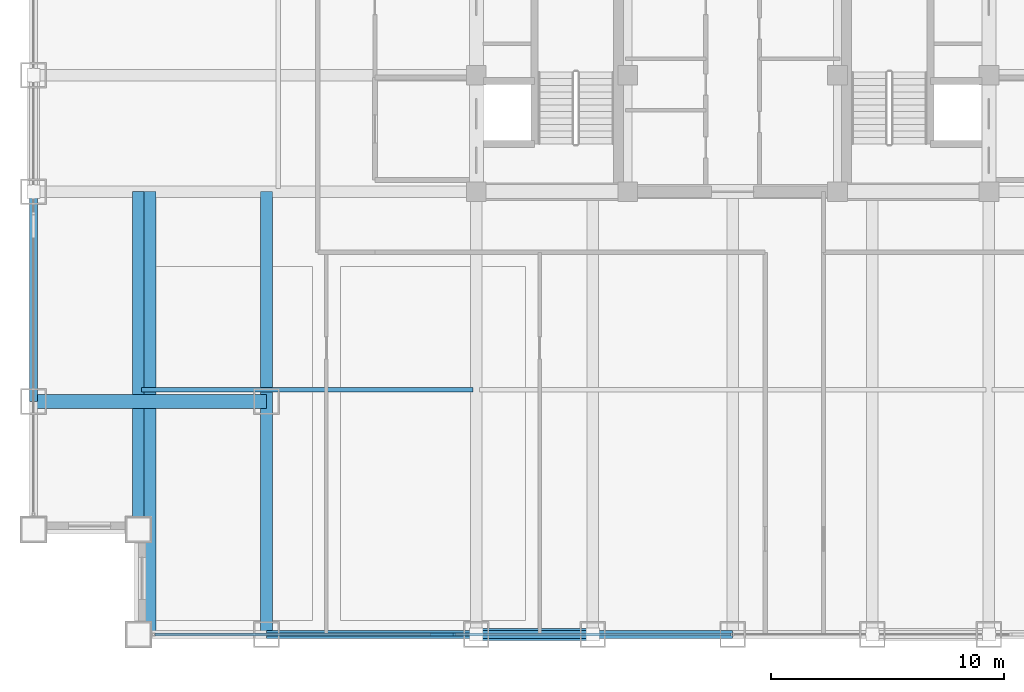
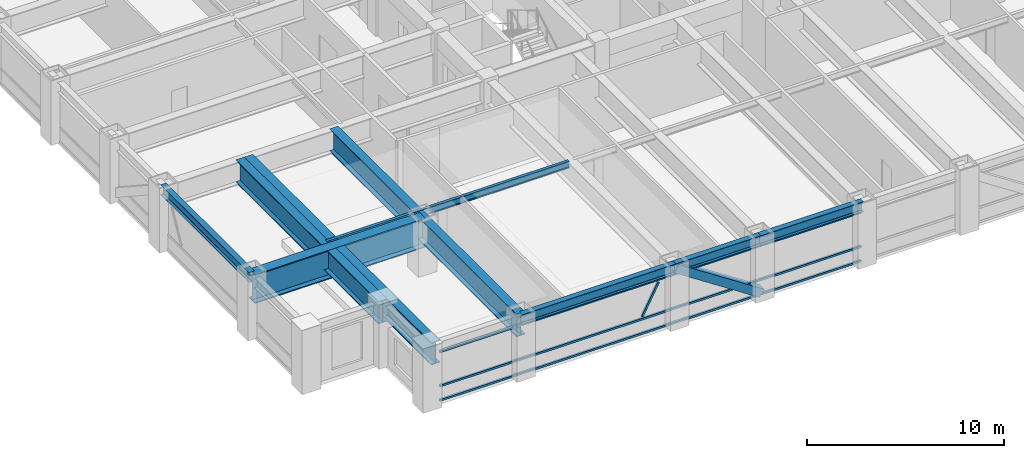
# One storey, part 3 of 26: 9 beams, 5 members, 1 element without a shape of its own.
"""IFC4 building model written with IfcOpenShell, lengths in metres."""

from ifc_helpers import new_model, si_unit, direction, frame, origin, origin_2d, place, context, subcontext, project, spatial, hollow_rectangle, i_section, extrude, source, transform, mapped, material, material_profile, profile_set, type_object, element, aggregate, save


model = new_model("IFC4")

# Units and contexts
model_context = context("Model", 3, precision=1e-05, world=origin(), true_north=direction((0.0, 1.0)))
body_context = subcontext(model_context, "Body", "Model", "MODEL_VIEW")
ifc_project = project(units=[si_unit("LENGTHUNIT", "METRE"), si_unit("AREAUNIT", "SQUARE_METRE"), si_unit("VOLUMEUNIT", "CUBIC_METRE"), si_unit("PLANEANGLEUNIT", "RADIAN"), si_unit("MASSUNIT", "GRAM", prefix="KILO")], contexts=[model_context])

# Site, building, storey
site_placement = place(None, origin())
site = spatial("IfcSite", under=ifc_project, at=site_placement, CompositionType="ELEMENT")
building_placement = place(site_placement, origin())
building = spatial("IfcBuilding", under=site, at=building_placement, Name="Khorayat Bourse Tower", CompositionType="ELEMENT")
storey_placement = place(building_placement, frame((0.0, 0.0, 207.10009765625)))
storey = spatial("IfcBuildingStorey", under=building, at=storey_placement, Name="L48", CompositionType="ELEMENT", Elevation=207.10009765625)

# Beams
ifc_material_1 = material(Name="Steel EN 10025-4 S460M", Category="steel")
ifc_material_profile_1 = material_profile(ifc_material_1, i_section(OverallWidth=0.60009765625, OverallDepth=1.800048828125, WebThickness=0.031982421875, FlangeThickness=0.06005859375, at=origin_2d()), Name="PG 1800x600x32x60")
ifc_profile_set_1 = profile_set([ifc_material_profile_1], Name="Steel EN 10025-4 S460M")
beam_type_1 = type_object("IfcBeamType", Name="BM-TR-1800", PredefinedType="BEAM", material=ifc_profile_set_1)
shared_shape_1 = source(origin(), body_context, "Body", "SweptSolid", [
    extrude(i_section(OverallWidth=0.60009765625, OverallDepth=1.800048828125, WebThickness=0.031982421875, FlangeThickness=0.06005859375, at=origin_2d()), origin(), (0.0, 0.0, 1.0), 10.0),
])
beam_1_placement = place(storey_placement, frame((-30.0, -20.0, 2.8798828125), z_axis=(1.0, 0.0, 0.0), x_axis=(0.0, 1.0, 0.0)))
element("IfcBeam", 1, at=beam_1_placement, inside=storey, type_object=beam_type_1, Name="L48 BM-TR-1800 BM-L48-CNRX-097", PredefinedType="BEAM", context=body_context, shape_type="MappedRepresentation", body=[
    mapped(shared_shape_1, transform((0.0, 0.0, 0.0), scale=1.0)),
])
ifc_material_2 = material(Name="Steel ASTM A992 Grade 50", Category="steel")
ifc_material_profile_2 = material_profile(ifc_material_2, i_section(OverallWidth=0.180908203125, OverallDepth=0.4169921875, WebThickness=0.010986328125, FlangeThickness=0.018310546875, FilletRadius=0.011962890625, at=origin_2d()), Name="W410X85")
ifc_profile_set_2 = profile_set([ifc_material_profile_2], Name="Steel ASTM A992 Grade 50")
beam_type_2 = type_object("IfcBeamType", Name="BM-JOIST-410", PredefinedType="JOIST", material=ifc_profile_set_2)
shared_shape_2 = source(origin(), body_context, "Body", "SweptSolid", [
    extrude(i_section(OverallWidth=0.180908203125, OverallDepth=0.4169921875, WebThickness=0.010986328125, FlangeThickness=0.018310546875, FilletRadius=0.011962890625, at=origin_2d()), origin(), (0.0, 0.0, 1.0), 14.240234375),
])
beam_2_placement = place(storey_placement, frame((-25.3701171875, -19.5, 3.5712890625), z_axis=(1.0, 0.0, 0.0), x_axis=(0.0, 1.0, 0.0)))
element("IfcBeam", 2, at=beam_2_placement, inside=storey, type_object=beam_type_2, Name="L48 BM-JOIST-410 BM-L48-JSTX-104", PredefinedType="JOIST", context=body_context, shape_type="MappedRepresentation", body=[
    mapped(shared_shape_2, transform((0.0, 0.0, 0.0), scale=1.0)),
])
ifc_material_profile_3 = material_profile(ifc_material_2, i_section(OverallWidth=0.324951171875, OverallDepth=0.615966796875, WebThickness=0.013916015625, FlangeThickness=0.021484375, FilletRadius=0.01611328125, at=origin_2d()), Name="W610X174")
ifc_profile_set_3 = profile_set([ifc_material_profile_3], Name="Steel ASTM A992 Grade 50")
beam_type_3 = type_object("IfcBeamType", Name="BM-SPAN-610", PredefinedType="SPANDREL", material=ifc_profile_set_3)
shared_shape_3 = source(origin(), body_context, "Body", "SweptSolid", [
    extrude(i_section(OverallWidth=0.324951171875, OverallDepth=0.615966796875, WebThickness=0.013916015625, FlangeThickness=0.021484375, FilletRadius=0.01611328125, at=origin_2d()), origin(), (0.0, 0.0, 1.0), 9.0),
])
for number, where, z_axis, x_axis, name in (
    (3, (-20.0, -30.0, 3.471923828125), (1.0, 0.0, 0.0), (0.0, 1.0, 0.0), "L48 BM-SPAN-610 BM-L48-SPN-025"),
    (4, (-30.0, -20.0, 3.471923828125), (0.0, 1.0, 0.0), (-1.0, 0.0, 0.0), "L48 BM-SPAN-610 BM-L48-SPN-060"),
):
    element("IfcBeam", number, at=place(storey_placement, frame(where, z_axis=z_axis, x_axis=x_axis)), inside=storey, type_object=beam_type_3, Name=name, PredefinedType="SPANDREL", context=body_context, shape_type="MappedRepresentation", body=[
        mapped(shared_shape_3, transform((0.0, 0.0, 0.0), scale=1.0)),
    ])
shared_shape_4 = source(origin(), body_context, "Body", "SweptSolid", [
    extrude(i_section(OverallWidth=0.324951171875, OverallDepth=0.615966796875, WebThickness=0.013916015625, FlangeThickness=0.021484375, FilletRadius=0.01611328125, at=origin_2d()), origin(), (0.0, 0.0, 1.0), 5.0),
])
beam_3_placement = place(storey_placement, frame((-11.0, -30.0, 3.471923828125), z_axis=(1.0, 0.0, 0.0), x_axis=(0.0, 1.0, 0.0)))
element("IfcBeam", 5, at=beam_3_placement, inside=storey, type_object=beam_type_3, Name="L48 BM-SPAN-610 BM-L48-SPN-026", PredefinedType="SPANDREL", context=body_context, shape_type="MappedRepresentation", body=[
    mapped(shared_shape_4, transform((0.0, 0.0, 0.0), scale=1.0)),
])
shared_shape_5 = source(origin(), body_context, "Body", "SweptSolid", [
    extrude(i_section(OverallWidth=0.324951171875, OverallDepth=0.615966796875, WebThickness=0.013916015625, FlangeThickness=0.021484375, FilletRadius=0.01611328125, at=origin_2d()), origin(), (0.0, 0.0, 1.0), 6.0),
])
beam_4_placement = place(storey_placement, frame((-6.0, -30.0, 3.471923828125), z_axis=(1.0, 0.0, 0.0), x_axis=(0.0, 1.0, 0.0)))
element("IfcBeam", 6, at=beam_4_placement, inside=storey, type_object=beam_type_3, Name="L48 BM-SPAN-610 BM-L48-SPN-027", PredefinedType="SPANDREL", context=body_context, shape_type="MappedRepresentation", body=[
    mapped(shared_shape_5, transform((0.0, 0.0, 0.0), scale=1.0)),
])

# Member
ifc_material_profile_4 = material_profile(ifc_material_1, hollow_rectangle(XDim=0.5, YDim=0.5, WallThickness=0.028076171875, at=origin_2d()), Name="HSS 500x500x28")
ifc_profile_set_4 = profile_set([ifc_material_profile_4], Name="Steel EN 10025-4 S460M")
member_type_1 = type_object("IfcMemberType", Name="MBR-TUBE-500", PredefinedType="BRACE", material=ifc_profile_set_4)
shared_shape_6 = source(origin(), body_context, "Body", "SweptSolid", [
    extrude(hollow_rectangle(XDim=0.5, YDim=0.5, WallThickness=0.028076171875, at=origin_2d()), origin(), (0.0, 0.0, 1.0), 5.979736328125),
])
member_1_placement = place(storey_placement, frame((-11.0, -30.0, 3.52978515625), z_axis=(0.836160261256, 0.0, -0.548485202623), x_axis=(0.0, 1.0, 0.0)))
element("IfcMember", 7, at=member_1_placement, inside=storey, type_object=member_type_1, Name="L48 Perimeter Tube Brace 01", PredefinedType="BRACE", context=body_context, shape_type="MappedRepresentation", body=[
    mapped(shared_shape_6, transform((0.0, 0.0, 0.0), scale=1.0)),
])

# Beams
ifc_material_profile_5 = material_profile(ifc_material_1, i_section(OverallWidth=0.5, OverallDepth=1.39990234375, WebThickness=0.02490234375, FlangeThickness=0.050048828125, at=origin_2d()), Name="PG 1400x500x25x50")
ifc_profile_set_5 = profile_set([ifc_material_profile_5], Name="Steel EN 10025-4 S460M")
beam_type_4 = type_object("IfcBeamType", Name="BM-TR-1400", PredefinedType="BEAM", material=ifc_profile_set_5)
shared_shape_7 = source(origin(), body_context, "Body", "SweptSolid", [
    extrude(i_section(OverallWidth=0.5, OverallDepth=1.39990234375, WebThickness=0.02490234375, FlangeThickness=0.050048828125, at=origin_2d()), origin(), (0.0, 0.0, 1.0), 19.0),
])
for number, where, z_axis, x_axis, name in (
    (8, (-20.0, -30.0, 3.079833984375), (0.0, 1.0, 0.0), (-1.0, 0.0, 0.0), "L48 BM-TR-1400 BM-L48-CNRY-084"),
    (9, (-25.0, -30.0, 3.079833984375), (0.0, 1.0, 0.0), (-1.0, 0.0, 0.0), "L48 BM-TR-1400 BM-L48-CNRY-088"),
):
    element("IfcBeam", number, at=place(storey_placement, frame(where, z_axis=z_axis, x_axis=x_axis)), inside=storey, type_object=beam_type_4, Name=name, PredefinedType="BEAM", context=body_context, shape_type="MappedRepresentation", body=[
        mapped(shared_shape_7, transform((0.0, 0.0, 0.0), scale=1.0)),
    ])
shared_shape_8 = source(origin(), body_context, "Body", "SweptSolid", [
    extrude(i_section(OverallWidth=0.5, OverallDepth=1.39990234375, WebThickness=0.02490234375, FlangeThickness=0.050048828125, at=origin_2d()), origin(), (0.0, 0.0, 1.0), 14.5),
])
beam_5_placement = place(storey_placement, frame((-25.5, -25.5, 3.079833984375), z_axis=(0.0, 1.0, 0.0), x_axis=(-1.0, 0.0, 0.0)))
element("IfcBeam", 10, at=beam_5_placement, inside=storey, type_object=beam_type_4, Name="L48 BM-TR-1400 BM-L48-CNRY-092", PredefinedType="BEAM", context=body_context, shape_type="MappedRepresentation", body=[
    mapped(shared_shape_8, transform((0.0, 0.0, 0.0), scale=1.0)),
])

# Curtain wall, members
ifc_material_3 = material(Name="Aluminium EN AW-6063 T6", Category="aluminium")
curtain_wall_type = type_object("IfcCurtainWallType", Name="CW-SYS-03", PredefinedType="NOTDEFINED", material=ifc_material_3)
curtain_wall_placement = place(storey_placement, origin())
curtain_wall = element("IfcCurtainWall", 11, at=curtain_wall_placement, inside=storey, type_object=curtain_wall_type, Name="L48 Curtain Wall CW-L48-S1", PredefinedType="NOTDEFINED")
ifc_material_profile_6 = material_profile(ifc_material_3, hollow_rectangle(XDim=0.1201171875, YDim=0.1201171875, WallThickness=0.0048828125, at=origin_2d()), Name="ALU 120x120x5")
ifc_profile_set_6 = profile_set([ifc_material_profile_6], Name="Aluminium EN AW-6063 T6")
member_type_2 = type_object("IfcMemberType", Name="CWM-DIAG-120", PredefinedType="MULLION", material=ifc_profile_set_6)
shared_shape_9 = source(origin(), body_context, "Body", "SweptSolid", [
    extrude(hollow_rectangle(XDim=0.1201171875, YDim=0.1201171875, WallThickness=0.0048828125, at=origin_2d()), origin(), (0.0, 0.0, 1.0), 2.079345703125),
])
member_2_placement = place(storey_placement, frame((-12.904296875, -30.0, 1.08984375), z_axis=(0.465760949701, 0.0, 0.884910581773), x_axis=(0.0, 1.0, 0.0)))
member_2 = element("IfcMember", 12, at=member_2_placement, type_object=member_type_2, Name="CW-L48-S1 Faceted Diagonal Mullion 1", PredefinedType="MULLION", context=body_context, shape_type="MappedRepresentation", body=[
    mapped(shared_shape_9, transform((0.0, 0.0, 0.0), scale=1.0)),
])
ifc_material_profile_7 = material_profile(ifc_material_3, hollow_rectangle(XDim=0.1201171875, YDim=0.1201171875, WallThickness=0.0048828125, at=origin_2d()), Name="ALU 120x120x5")
ifc_profile_set_7 = profile_set([ifc_material_profile_7], Name="Aluminium EN AW-6063 T6")
member_type_3 = type_object("IfcMemberType", Name="CWT-HORZ-120", PredefinedType="USERDEFINED", material=ifc_profile_set_7)
shared_shape_10 = source(origin(), body_context, "Body", "SweptSolid", [
    extrude(hollow_rectangle(XDim=0.1201171875, YDim=0.1201171875, WallThickness=0.0048828125, at=origin_2d()), origin(), (0.0, 0.0, 1.0), 24.719970703125),
])
member_3_placement = place(storey_placement, frame((-24.780029296875, -30.0, 0.059814453125), z_axis=(1.0, 0.0, 0.0), x_axis=(0.0, 1.0, 0.0)))
member_3 = element("IfcMember", 13, at=member_3_placement, type_object=member_type_3, Name="CW-L48-S1 Horizontal Transom 1-1", ObjectType="TRANSOM", PredefinedType="USERDEFINED", context=body_context, shape_type="MappedRepresentation", body=[
    mapped(shared_shape_10, transform((0.0, 0.0, 0.0), scale=1.0)),
])
member_4_placement = place(storey_placement, frame((-24.780029296875, -30.0, 0.949951171875), z_axis=(1.0, 0.0, 0.0), x_axis=(0.0, 1.0, 0.0)))
member_4 = element("IfcMember", 14, at=member_4_placement, type_object=member_type_3, Name="CW-L48-S1 Horizontal Transom 1-2", ObjectType="TRANSOM", PredefinedType="USERDEFINED", context=body_context, shape_type="MappedRepresentation", body=[
    mapped(shared_shape_10, transform((0.0, 0.0, 0.0), scale=1.0)),
])
member_5_placement = place(storey_placement, frame((-24.780029296875, -30.0, 3.06982421875), z_axis=(1.0, 0.0, 0.0), x_axis=(0.0, 1.0, 0.0)))
member_5 = element("IfcMember", 15, at=member_5_placement, type_object=member_type_3, Name="CW-L48-S1 Horizontal Transom 1-3", ObjectType="TRANSOM", PredefinedType="USERDEFINED", context=body_context, shape_type="MappedRepresentation", body=[
    mapped(shared_shape_10, transform((0.0, 0.0, 0.0), scale=1.0)),
])
aggregate(curtain_wall, [member_3, member_4, member_5, member_2])

save(model, "model.ifc")
